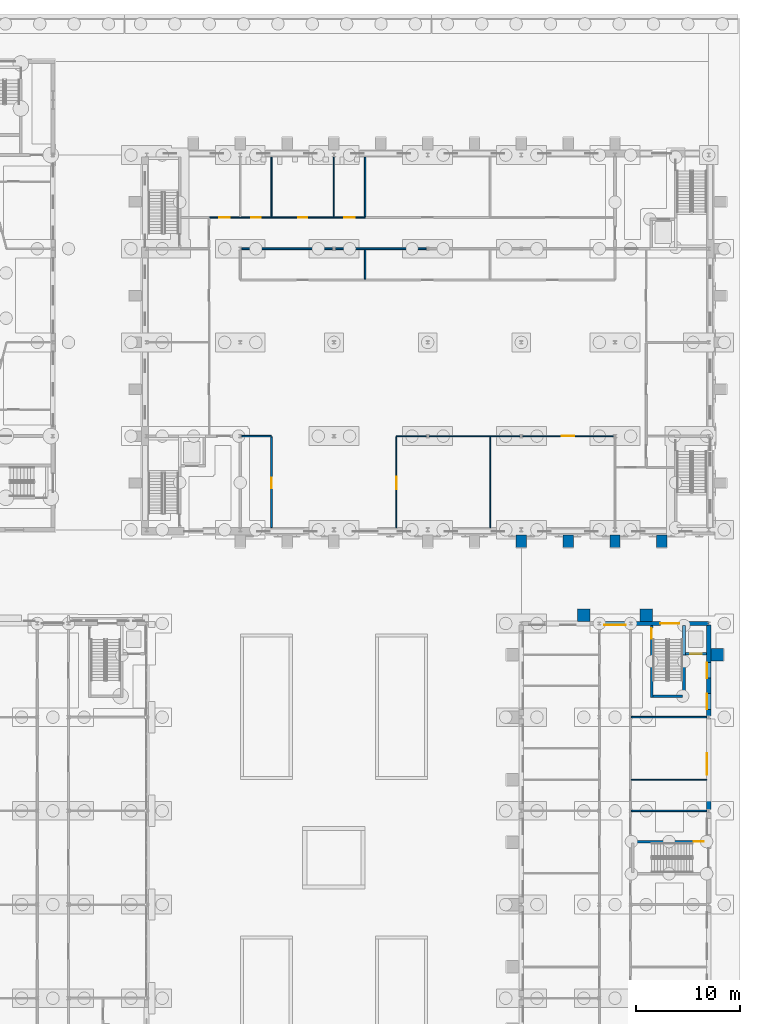
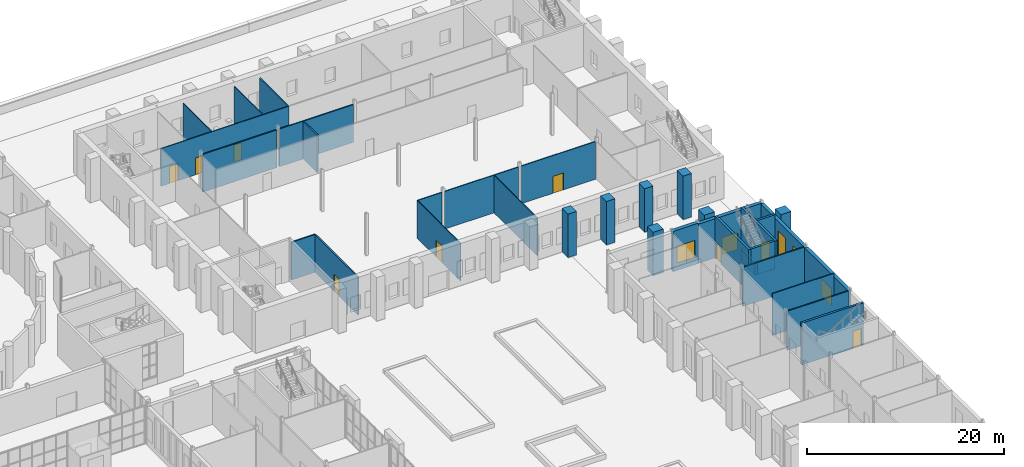
# One storey, part 105 of 168: 35 walls, 11 doors, 4 windows, 15 openings.
"""IFC4 building model written with IfcOpenShell, lengths in metres."""

import ifcopenshell
import ifcopenshell.guid

model = None  # the IFC model being written
_history = None  # IfcOwnerHistory: only IFC2X3 demands one
_inside = {}  # id of a spatial element -> (the spatial element, [elements in it])
_under = {}  # id of a project, library or spatial element -> (it, [spatial elements below it])
_declared = {}  # id of a project -> (the project, [libraries it declares])
_typed = {}  # id of a type object -> (the type object, [elements of that type])
_made_of = {}  # id of a material, layer set ... -> (it, [elements and type objects made of it])


def new_model(schema):
    """Start an empty IFC model of exactly this schema.

    Asked for "IFC4X3", IfcOpenShell would pick the latest addendum, in which some entities
    have other attributes; the version numbers below select the first issue.
    IFC2X3 requires an IfcOwnerHistory on every rooted entity: one is made here for all.
    """
    global model, _history
    if schema == "IFC4X3":
        model = ifcopenshell.file(schema_version=(4, 3, 0, 0))
    else:
        model = ifcopenshell.file(schema=schema)
    _inside.clear()
    _under.clear()
    _declared.clear()
    _typed.clear()
    _made_of.clear()
    _history = None
    if model.schema == "IFC2X3":
        org = make("IfcOrganization", Name="unknown")
        user = make(
            "IfcPersonAndOrganization",
            ThePerson=make("IfcPerson", FamilyName="unknown"),
            TheOrganization=org,
        )
        app = make(
            "IfcApplication",
            ApplicationDeveloper=org,
            Version="unknown",
            ApplicationFullName="unknown",
            ApplicationIdentifier="unknown",
        )
        _history = make(
            "IfcOwnerHistory",
            OwningUser=user,
            OwningApplication=app,
            ChangeAction="ADDED",
            CreationDate=0,
        )
    return model


def make(cls, **values):
    """One entity of the class cls with the attributes given. An attribute that is None is left unset."""
    return model.create_entity(
        cls, **{name: value for name, value in values.items() if value is not None}
    )


def rooted(cls, **values):
    """An entity with a GlobalId (a new one), such as an element, a storey or a relation."""
    return make(cls, GlobalId=ifcopenshell.guid.new(), OwnerHistory=_history, **values)


def si_unit(unit_type, name, prefix=None):
    """IfcSIUnit, for example si_unit("LENGTHUNIT", "METRE", prefix="MILLI")."""
    return make("IfcSIUnit", UnitType=unit_type, Prefix=prefix, Name=name)


def assignment(units):
    """IfcUnitAssignment: the units of a project."""
    return None if units is None else make("IfcUnitAssignment", Units=units)


def point(xyz):
    """IfcCartesianPoint."""
    return None if xyz is None else make("IfcCartesianPoint", Coordinates=xyz)


def direction(xyz):
    """IfcDirection."""
    return None if xyz is None else make("IfcDirection", DirectionRatios=xyz)


def frame(location, z_axis=None, x_axis=None):
    """IfcAxis2Placement3D, a coordinate frame: its origin and axes. An axis left out is left unset."""
    return make(
        "IfcAxis2Placement3D",
        Location=point(location),
        Axis=direction(z_axis),
        RefDirection=direction(x_axis),
    )


def frame_2d(location, x_axis=None):
    """IfcAxis2Placement2D, a coordinate frame in the plane: its origin and x axis."""
    return make(
        "IfcAxis2Placement2D", Location=point(location), RefDirection=direction(x_axis)
    )


def origin():
    """The frame at (0, 0, 0) with its axes left unset."""
    return frame((0.0, 0.0, 0.0))


def place(relative_to, where):
    """IfcLocalPlacement: puts the frame where relative to a parent placement (None: the world)."""
    return make(
        "IfcLocalPlacement", PlacementRelTo=relative_to, RelativePlacement=where
    )


def context(
    kind, dimensions, precision=None, world=None, true_north=None, identifier=None
):
    """IfcGeometricRepresentationContext, for example the 3D "Model" context."""
    return make(
        "IfcGeometricRepresentationContext",
        ContextIdentifier=identifier,
        ContextType=kind,
        CoordinateSpaceDimension=dimensions,
        Precision=precision,
        WorldCoordinateSystem=world,
        TrueNorth=true_north,
    )


def subcontext(parent, identifier, kind, view, scale=None):
    """IfcGeometricRepresentationSubContext, for example "Body" below "Model"."""
    return make(
        "IfcGeometricRepresentationSubContext",
        ContextIdentifier=identifier,
        ContextType=kind,
        ParentContext=parent,
        TargetScale=scale,
        TargetView=view,
    )


def project(units=None, contexts=None):
    """IfcProject with its units and contexts."""
    return rooted(
        "IfcProject",
        Name="project",
        RepresentationContexts=contexts,
        UnitsInContext=assignment(units),
    )


def spatial(cls, under=None, at=None, **own):
    """A site, building, storey or space (cls), placed at a placement, below another one or the project."""
    s = rooted(cls, ObjectPlacement=at, **own)
    if under is not None:
        _under.setdefault(under.id(), (under, []))[1].append(s)
    return s


def profile(cls, at=None, kind="AREA", **sizes):
    """A parametric profile (cls). Its sizes go by their IFC names, for example OverallWidth=200.0."""
    return make(cls, ProfileType=kind, Position=at, **sizes)


def rectangle(**sizes):
    """IfcRectangleProfileDef."""
    return profile("IfcRectangleProfileDef", **sizes)


def extrude(swept, where, along, depth):
    """IfcExtrudedAreaSolid: the profile swept, set in the frame where, extruded along a direction by depth."""
    return make(
        "IfcExtrudedAreaSolid",
        SweptArea=swept,
        Position=where,
        ExtrudedDirection=direction(along),
        Depth=depth,
    )


def shape(context_of_items, identifier, shape_type, items):
    """IfcShapeRepresentation: the items that make up one representation, for example the "Body"."""
    return make(
        "IfcShapeRepresentation",
        ContextOfItems=context_of_items,
        RepresentationIdentifier=identifier,
        RepresentationType=shape_type,
        Items=items,
    )


def material(Name=None, Category=None):
    """IfcMaterial."""
    return make("IfcMaterial", Name=Name, Category=Category)


def layer(
    of_material, thickness, ventilated=None, Name=None, Category=None, Priority=None
):
    """IfcMaterialLayer: one layer of a wall or slab, of a material (None: an air gap)."""
    return make(
        "IfcMaterialLayer",
        Material=of_material,
        LayerThickness=thickness,
        IsVentilated=ventilated,
        Name=Name,
        Category=Category,
        Priority=Priority,
    )


def layer_set(layers, Name=None):
    """IfcMaterialLayerSet."""
    return make("IfcMaterialLayerSet", MaterialLayers=layers, LayerSetName=Name)


def made_of(thing, what):
    """Note that an element or type object is made of a material, layer set ...; save() writes the relation."""
    if what is not None:
        _made_of.setdefault(what.id(), (what, []))[1].append(thing)
    return thing


def type_object(cls, material=None, **own):
    """A type object (cls), such as IfcWallType, which elements share."""
    return made_of(rooted(cls, **own), material)


def element(
    cls,
    number,
    at=None,
    inside=None,
    cuts=None,
    type_object=None,
    material=None,
    context=None,
    identifier="Body",
    shape_type=None,
    held_by="IfcProductDefinitionShape",
    body=None,
    shapes=None,
    **own,
):
    """One element of the class cls, such as IfcWall. Its Tag is "e" and its number.

    at: its placement. inside: the storey or other place that contains it. cuts: it is an
    opening in that element (IfcRelVoidsElement). A single representation is given by context,
    identifier, shape_type and body (its items); several are given by shapes. held_by: the class
    of the entity that holds the representations. save() writes the other relations.
    """
    e = rooted(cls, Tag="e%d" % number, ObjectPlacement=at, **own)
    if body is not None:
        shapes = [shape(context, identifier, shape_type, body)]
    if shapes is not None:
        e.Representation = make(held_by, Representations=shapes)
    if inside is not None:
        _inside.setdefault(inside.id(), (inside, []))[1].append(e)
    if cuts is not None:
        rooted(
            "IfcRelVoidsElement", RelatingBuildingElement=cuts, RelatedOpeningElement=e
        )
    if type_object is not None:
        _typed.setdefault(type_object.id(), (type_object, []))[1].append(e)
    return made_of(e, material)


def fill(opening, filler):
    """IfcRelFillsElement: the door or window that sits in an opening."""
    return rooted(
        "IfcRelFillsElement",
        RelatingOpeningElement=opening,
        RelatedBuildingElement=filler,
    )


def aggregate(whole, parts):
    """IfcRelAggregates: a whole, such as a stair, and the parts it consists of."""
    return rooted("IfcRelAggregates", RelatingObject=whole, RelatedObjects=parts)


def save(model, path):
    """Write the relations noted so far, then the file.

    IfcRelAggregates (storeys below a building ...), IfcRelContainedInSpatialStructure (elements
    in a storey), IfcRelDefinesByType, IfcRelAssociatesMaterial and IfcRelDeclares: one each for
    every whole, place, type object, material and project.
    """
    for whole, parts in _under.values():
        aggregate(whole, parts)
    for where, things in _inside.values():
        rooted(
            "IfcRelContainedInSpatialStructure",
            RelatedElements=things,
            RelatingStructure=where,
        )
    for kind, things in _typed.values():
        rooted("IfcRelDefinesByType", RelatedObjects=things, RelatingType=kind)
    for what, things in _made_of.values():
        rooted("IfcRelAssociatesMaterial", RelatedObjects=things, RelatingMaterial=what)
    for by, libraries in _declared.values():
        rooted("IfcRelDeclares", RelatingContext=by, RelatedDefinitions=libraries)
    model.write(path)


model = new_model("IFC4")

# Units and contexts
model_context = context("Model", 3, precision=1e-05, world=origin(), true_north=direction((0.0, 1.0)))
body_context = subcontext(model_context, "Body", "Model", "MODEL_VIEW")
ifc_project = project(units=[si_unit("LENGTHUNIT", "METRE"), si_unit("AREAUNIT", "SQUARE_METRE"), si_unit("VOLUMEUNIT", "CUBIC_METRE"), si_unit("PLANEANGLEUNIT", "RADIAN"), si_unit("MASSUNIT", "GRAM", prefix="KILO")], contexts=[model_context])

# Site, building, storey
site_placement = place(None, origin())
site = spatial("IfcSite", under=ifc_project, at=site_placement, CompositionType="ELEMENT")
building_placement = place(site_placement, origin())
building = spatial("IfcBuilding", under=site, at=building_placement, Name="Golden Quay Civic Hall", CompositionType="ELEMENT")
storey_placement = place(building_placement, origin())
storey = spatial("IfcBuildingStorey", under=building, at=storey_placement, Name="L00", CompositionType="ELEMENT", Elevation=0.0)

# Wall, opening, window
ifc_material_1 = material(Name="Brick, dark clay facing", Category="masonry")
ifc_layer_1 = layer(ifc_material_1, 0.39990234375)
ifc_layer_set_1 = layer_set([ifc_layer_1], Name="Brick external wall 400")
wall_type_1 = type_object("IfcWallType", Name="Brick external wall 400", PredefinedType="STANDARD", material=ifc_layer_set_1)
wall_1_placement = place(storey_placement, frame((160.509033203125, 54.0, 0.0), z_axis=(0.0, 0.0, 1.0), x_axis=(1.0, 0.0, 0.0)))
wall_1 = element("IfcWall", 1, at=wall_1_placement, inside=storey, type_object=wall_type_1, Name="Brick external wall 400 L00 19", PredefinedType="STANDARD", context=body_context, shape_type="SweptSolid", body=[
    extrude(rectangle(XDim=2.98193359375, YDim=0.39990234375, at=frame_2d((1.490966796875, 0.0))), origin(), (0.0, 0.0, 1.0), 5.0),
])
opening_1_placement = place(wall_1_placement, frame((0.44091796875, 0.0, 0.89990234375)))
opening_1 = element("IfcOpeningElement", 2, at=opening_1_placement, cuts=wall_1, Name="Opening WN2", PredefinedType="OPENING", context=body_context, shape_type="SweptSolid", body=[
    extrude(rectangle(XDim=2.10009765625, YDim=2.10009765625, at=frame_2d((1.050048828125, 1.050048828125))), frame((0.0, 0.2099609375, 0.0), z_axis=(0.0, -1.0, 0.0), x_axis=(1.0, 0.0, 0.0)), (0.0, 0.0, 1.0), 0.419921875),
])
ifc_material_2 = material(Name="Aluminium frame, double glazed", Category="aluminium")
window_type_1 = type_object("IfcWindowType", Name="Corridor end window 2100 x 2100", PartitioningType="SINGLE_PANEL", PredefinedType="WINDOW", material=ifc_material_2)
window_1_placement = place(opening_1_placement, origin())
window_1 = element("IfcWindow", 3, at=window_1_placement, inside=storey, type_object=window_type_1, Name="Corridor end window 2100 x 2100 L00 8", OverallHeight=2.10009765625, OverallWidth=2.10009765625, PartitioningType="SINGLE_PANEL", PredefinedType="WINDOW", context=body_context, shape_type="SweptSolid", body=[
    extrude(rectangle(XDim=2.10009765625, YDim=2.10009765625, at=frame_2d((1.050048828125, 1.050048828125))), frame((0.0, -0.119873046875, 0.0), z_axis=(0.0, -1.0, 0.0), x_axis=(1.0, 0.0, 0.0)), (0.0, 0.0, 1.0), 0.06005859375),
])
fill(opening_1, window_1)

wall_2_placement = place(storey_placement, frame((171.0, 44.864990234375, 0.0), z_axis=(0.0, 0.0, 1.0), x_axis=(0.0, -1.0, 0.0)))
wall_2 = element("IfcWall", 4, at=wall_2_placement, inside=storey, type_object=wall_type_1, Name="Brick external wall 400 L00 23", PredefinedType="STANDARD", context=body_context, shape_type="SweptSolid", body=[
    extrude(rectangle(XDim=8.72998046875, YDim=0.39990234375, at=frame_2d((4.364990234375, 0.0))), origin(), (0.0, 0.0, 1.0), 4.800048828125),
])
opening_2_placement = place(wall_2_placement, frame((3.31494140625, 0.0, 0.89990234375)))
opening_2 = element("IfcOpeningElement", 5, at=opening_2_placement, cuts=wall_2, Name="Opening WN2", PredefinedType="OPENING", context=body_context, shape_type="SweptSolid", body=[
    extrude(rectangle(XDim=2.10009765625, YDim=2.10009765625, at=frame_2d((1.050048828125, 1.050048828125))), frame((0.0, 0.2099609375, 0.0), z_axis=(0.0, -1.0, 0.0), x_axis=(1.0, 0.0, 0.0)), (0.0, 0.0, 1.0), 0.419921875),
])
window_2_placement = place(opening_2_placement, origin())
window_2 = element("IfcWindow", 6, at=window_2_placement, inside=storey, type_object=window_type_1, Name="Corridor end window 2100 x 2100 L00 9", OverallHeight=2.10009765625, OverallWidth=2.10009765625, PartitioningType="SINGLE_PANEL", PredefinedType="WINDOW", context=body_context, shape_type="SweptSolid", body=[
    extrude(rectangle(XDim=2.10009765625, YDim=2.10009765625, at=frame_2d((1.050048828125, 1.050048828125))), frame((0.0, -0.119873046875, 0.0), z_axis=(0.0, -1.0, 0.0), x_axis=(1.0, 0.0, 0.0)), (0.0, 0.0, 1.0), 0.06005859375),
])
fill(opening_2, window_2)

# Wall, opening, door
ifc_material_3 = material(Name="Brick, dark clay facing", Category="masonry")
ifc_layer_2 = layer(ifc_material_3, 0.39990234375)
ifc_layer_set_2 = layer_set([ifc_layer_2], Name="Brick external wall 400 fire EI 60")
wall_type_2 = type_object("IfcWallType", Name="Brick external wall 400 fire EI 60", PredefinedType="STANDARD", material=ifc_layer_set_2)
wall_3_placement = place(storey_placement, frame((163.509033203125, 54.0, 0.0), z_axis=(0.0, 0.0, 1.0), x_axis=(1.0, 0.0, 0.0)))
wall_3 = element("IfcWall", 7, at=wall_3_placement, inside=storey, type_object=wall_type_2, Name="Brick external wall 400 fire EI 60 L00 2", PredefinedType="STANDARD", context=body_context, shape_type="SweptSolid", body=[
    extrude(rectangle(XDim=7.48193359375, YDim=0.39990234375, at=frame_2d((3.740966796875, 0.0))), origin(), (0.0, 0.0, 1.0), 4.8701171875),
])
opening_3_placement = place(wall_3_placement, frame((2.841064453125, 0.0, 0.0)))
opening_3 = element("IfcOpeningElement", 8, at=opening_3_placement, cuts=wall_3, Name="Opening L00-D013", PredefinedType="OPENING", context=body_context, shape_type="SweptSolid", body=[
    extrude(rectangle(XDim=1.800048828125, YDim=2.10009765625, at=frame_2d((0.89990234375, 1.050048828125))), frame((0.0, 0.2099609375, 0.0), z_axis=(0.0, -1.0, 0.0), x_axis=(1.0, 0.0, 0.0)), (0.0, 0.0, 1.0), 0.419921875),
])
ifc_material_4 = material(Name="Steel", Category="steel")
door_type_1 = type_object("IfcDoorType", Name="Steel double exit door FD60 1800 x 2100", OperationType="DOUBLE_DOOR_SINGLE_SWING", PredefinedType="DOOR", material=ifc_material_4)
door_1_placement = place(opening_3_placement, origin())
door_1 = element("IfcDoor", 9, at=door_1_placement, inside=storey, type_object=door_type_1, Name="Door L00-D013", OperationType="DOUBLE_DOOR_SINGLE_SWING", OverallHeight=2.10009765625, OverallWidth=1.800048828125, PredefinedType="DOOR", context=body_context, shape_type="SweptSolid", body=[
    extrude(rectangle(XDim=1.800048828125, YDim=2.10009765625, at=frame_2d((0.89990234375, 1.050048828125))), frame((0.0, 0.02490234375, 0.0), z_axis=(0.0, -1.0, 0.0), x_axis=(1.0, 0.0, 0.0)), (0.0, 0.0, 1.0), 0.050048828125),
])
fill(opening_3, door_1)

# Wall, openings, windows
wall_4_placement = place(storey_placement, frame((171.0, 53.864990234375, 0.0), z_axis=(0.0, 0.0, 1.0), x_axis=(0.0, -1.0, 0.0)))
wall_4 = element("IfcWall", 10, at=wall_4_placement, inside=storey, type_object=wall_type_2, Name="Brick external wall 400 fire EI 60 L00 4", PredefinedType="STANDARD", context=body_context, shape_type="SweptSolid", body=[
    extrude(rectangle(XDim=8.72998046875, YDim=0.39990234375, at=frame_2d((4.364990234375, 0.0))), origin(), (0.0, 0.0, 1.0), 4.800048828125),
])
opening_4_placement = place(wall_4_placement, frame((6.614990234375, 0.0, 0.300048828125)))
opening_4 = element("IfcOpeningElement", 11, at=opening_4_placement, cuts=wall_4, Name="Opening WN4", PredefinedType="OPENING", context=body_context, shape_type="SweptSolid", body=[
    extrude(rectangle(XDim=1.5, YDim=3.300048828125, at=frame_2d((0.75, 1.64990234375))), frame((0.0, 0.2099609375, 0.0), z_axis=(0.0, -1.0, 0.0), x_axis=(1.0, 0.0, 0.0)), (0.0, 0.0, 1.0), 0.419921875),
])
opening_5_placement = place(wall_4_placement, frame((3.614990234375, 0.0, 0.300048828125)))
opening_5 = element("IfcOpeningElement", 12, at=opening_5_placement, cuts=wall_4, Name="Opening WN4", PredefinedType="OPENING", context=body_context, shape_type="SweptSolid", body=[
    extrude(rectangle(XDim=1.5, YDim=3.300048828125, at=frame_2d((0.75, 1.64990234375))), frame((0.0, 0.2099609375, 0.0), z_axis=(0.0, -1.0, 0.0), x_axis=(1.0, 0.0, 0.0)), (0.0, 0.0, 1.0), 0.419921875),
])
ifc_material_5 = material(Name="Aluminium frame, double glazed", Category="aluminium")
window_type_2 = type_object("IfcWindowType", Name="Tall ground-floor window 1500 x 3300", PartitioningType="SINGLE_PANEL", PredefinedType="WINDOW", material=ifc_material_5)
window_3_placement = place(opening_4_placement, origin())
window_3 = element("IfcWindow", 13, at=window_3_placement, inside=storey, type_object=window_type_2, Name="Tall ground-floor window 1500 x 3300 L00 49", OverallHeight=3.300048828125, OverallWidth=1.5, PartitioningType="SINGLE_PANEL", PredefinedType="WINDOW", context=body_context, shape_type="SweptSolid", body=[
    extrude(rectangle(XDim=1.5, YDim=3.300048828125, at=frame_2d((0.75, 1.64990234375))), frame((0.0, -0.119873046875, 0.0), z_axis=(0.0, -1.0, 0.0), x_axis=(1.0, 0.0, 0.0)), (0.0, 0.0, 1.0), 0.06005859375),
])
fill(opening_4, window_3)
window_4_placement = place(opening_5_placement, origin())
window_4 = element("IfcWindow", 14, at=window_4_placement, inside=storey, type_object=window_type_2, Name="Tall ground-floor window 1500 x 3300 L00 50", OverallHeight=3.300048828125, OverallWidth=1.5, PartitioningType="SINGLE_PANEL", PredefinedType="WINDOW", context=body_context, shape_type="SweptSolid", body=[
    extrude(rectangle(XDim=1.5, YDim=3.300048828125, at=frame_2d((0.75, 1.64990234375))), frame((0.0, -0.119873046875, 0.0), z_axis=(0.0, -1.0, 0.0), x_axis=(1.0, 0.0, 0.0)), (0.0, 0.0, 1.0), 0.06005859375),
])
fill(opening_5, window_4)

# Walls
ifc_material_6 = material(Name="Brick, dark clay facing", Category="masonry")
ifc_layer_3 = layer(ifc_material_6, 1.199951171875)
ifc_layer_set_3 = layer_set([ifc_layer_3], Name="Brick pilaster 1200 x 1200")
wall_type_3 = type_object("IfcWallType", Name="Brick pilaster 1200 x 1200", PredefinedType="STANDARD", material=ifc_layer_set_3)
for number, where, z_axis, x_axis, name in (
    (15, (158.39990234375, 54.800048828125, 0.0), (0.0, 0.0, 1.0), (1.0, 0.0, 0.0), "Brick pilaster 1200 x 1200 L00 18"),
    (16, (164.39990234375, 54.800048828125, 0.0), (0.0, 0.0, 1.0), (1.0, 0.0, 0.0), "Brick pilaster 1200 x 1200 L00 19"),
    (17, (171.800048828125, 50.39990234375, 0.0), (0.0, 0.0, 1.0), (0.0, 1.0, 0.0), "Brick pilaster 1200 x 1200 L00 21"),
):
    element("IfcWall", number, at=place(storey_placement, frame(where, z_axis=z_axis, x_axis=x_axis)), inside=storey, type_object=wall_type_3, Name=name, PredefinedType="STANDARD", context=body_context, shape_type="SweptSolid", body=[
        extrude(rectangle(XDim=1.2001953125, YDim=1.199951171875, at=frame_2d((0.60009765625, 0.0))), origin(), (0.0, 0.0, 1.0), 5.39990234375),
    ])
ifc_material_7 = material(Name="Concrete C40/50", Category="concrete")
ifc_layer_4 = layer(ifc_material_7, 0.25)
ifc_layer_set_4 = layer_set([ifc_layer_4], Name="Concrete core wall 250, Concrete C40/50")
wall_type_4 = type_object("IfcWallType", Name="Concrete core wall 250", PredefinedType="SHEAR", material=ifc_layer_set_4)
wall_5_placement = place(storey_placement, frame((168.625, 46.89990234375, 0.0), z_axis=(0.0, 0.0, 1.0), x_axis=(0.0, 1.0, 0.0)))
element("IfcWall", 18, at=wall_5_placement, inside=storey, type_object=wall_type_4, Name="Core wall EO-N-W1", PredefinedType="SHEAR", context=body_context, shape_type="SweptSolid", body=[
    extrude(rectangle(XDim=6.900146484375, YDim=0.25, at=frame_2d((3.4501953125, 0.0))), origin(), (0.0, 0.0, 1.0), 5.199951171875),
])

# Wall, opening, door
wall_6_placement = place(storey_placement, frame((165.52490234375, 46.89990234375, 0.0), z_axis=(0.0, 0.0, 1.0), x_axis=(0.0, 1.0, 0.0)))
wall_6 = element("IfcWall", 19, at=wall_6_placement, inside=storey, type_object=wall_type_4, Name="Core wall EO-N-W2", PredefinedType="SHEAR", context=body_context, shape_type="SweptSolid", body=[
    extrude(rectangle(XDim=6.900146484375, YDim=0.25, at=frame_2d((3.4501953125, 0.0))), origin(), (0.0, 0.0, 1.0), 5.199951171875),
])
opening_6_placement = place(wall_6_placement, frame((5.64990234375, 0.0, 0.0)))
opening_6 = element("IfcOpeningElement", 20, at=opening_6_placement, cuts=wall_6, Name="Opening L00-D168", PredefinedType="OPENING", context=body_context, shape_type="SweptSolid", body=[
    extrude(rectangle(XDim=1.0, YDim=2.10009765625, at=frame_2d((0.5, 1.050048828125))), frame((0.0, 0.135009765625, 0.0), z_axis=(0.0, -1.0, 0.0), x_axis=(1.0, 0.0, 0.0)), (0.0, 0.0, 1.0), 0.27001953125),
])
ifc_material_8 = material(Name="Steel", Category="steel")
door_type_2 = type_object("IfcDoorType", Name="Steel fire door FD60 1000 x 2100", OperationType="SINGLE_SWING_LEFT", PredefinedType="DOOR", material=ifc_material_8)
door_2_placement = place(opening_6_placement, frame((1.0, 0.0, 0.0), z_axis=(0.0, 0.0, 1.0), x_axis=(-1.0, 0.0, 0.0)))
door_2 = element("IfcDoor", 21, at=door_2_placement, inside=storey, type_object=door_type_2, Name="Door L00-D168", OperationType="SINGLE_SWING_RIGHT", OverallHeight=2.10009765625, OverallWidth=1.0, PredefinedType="DOOR", context=body_context, shape_type="SweptSolid", body=[
    extrude(rectangle(XDim=1.0, YDim=2.10009765625, at=frame_2d((0.5, 1.050048828125))), frame((0.0, 0.025146484375, 0.0), z_axis=(0.0, -1.0, 0.0), x_axis=(1.0, 0.0, 0.0)), (0.0, 0.0, 1.0), 0.050048828125),
])
fill(opening_6, door_2)

# Wall
wall_7_placement = place(storey_placement, frame((165.64990234375, 47.02490234375, 0.0), z_axis=(0.0, 0.0, 1.0), x_axis=(1.0, 0.0, 0.0)))
element("IfcWall", 22, at=wall_7_placement, inside=storey, type_object=wall_type_4, Name="Core wall EO-N-W3", PredefinedType="SHEAR", context=body_context, shape_type="SweptSolid", body=[
    extrude(rectangle(XDim=2.85009765625, YDim=0.25, at=frame_2d((1.425048828125, 0.0))), origin(), (0.0, 0.0, 1.0), 5.199951171875),
])

# Wall, opening, door
wall_8_placement = place(storey_placement, frame((168.75, 51.074951171875, 0.0), z_axis=(0.0, 0.0, 1.0), x_axis=(1.0, 0.0, 0.0)))
wall_8 = element("IfcWall", 23, at=wall_8_placement, inside=storey, type_object=wall_type_4, Name="Core wall EO-N-W4", PredefinedType="SHEAR", context=body_context, shape_type="SweptSolid", body=[
    extrude(rectangle(XDim=2.050048828125, YDim=0.25, at=frame_2d((1.02490234375, 0.0))), origin(), (0.0, 0.0, 1.0), 5.199951171875),
])
opening_7_placement = place(wall_8_placement, frame((0.47509765625, 0.0, 0.0)))
opening_7 = element("IfcOpeningElement", 24, at=opening_7_placement, cuts=wall_8, Name="Opening L00-D174", PredefinedType="OPENING", context=body_context, shape_type="SweptSolid", body=[
    extrude(rectangle(XDim=1.10009765625, YDim=2.10009765625, at=frame_2d((0.550048828125, 1.050048828125))), frame((0.0, 0.135009765625, 0.0), z_axis=(0.0, -1.0, 0.0), x_axis=(1.0, 0.0, 0.0)), (0.0, 0.0, 1.0), 0.27001953125),
])
ifc_material_9 = material(Name="Steel", Category="steel")
door_type_3 = type_object("IfcDoorType", Name="Lift landing door 1100 x 2100", OperationType="SLIDING_TO_LEFT", PredefinedType="DOOR", material=ifc_material_9)
door_3_placement = place(opening_7_placement, origin())
door_3 = element("IfcDoor", 25, at=door_3_placement, inside=storey, type_object=door_type_3, Name="Lift landing door L00-D174 EO-N", OperationType="SLIDING_TO_LEFT", OverallHeight=2.10009765625, OverallWidth=1.10009765625, PredefinedType="DOOR", context=body_context, shape_type="SweptSolid", body=[
    extrude(rectangle(XDim=1.10009765625, YDim=2.10009765625, at=frame_2d((0.550048828125, 1.050048828125))), frame((0.0, 0.02490234375, 0.0), z_axis=(0.0, -1.0, 0.0), x_axis=(1.0, 0.0, 0.0)), (0.0, 0.0, 1.0), 0.050048828125),
])
fill(opening_7, door_3)

# Walls
wall_9_placement = place(storey_placement, frame((168.625, 50.949951171875, -1.5), z_axis=(0.0, 0.0, 1.0), x_axis=(0.0, 1.0, 0.0)))
element("IfcWall", 26, at=wall_9_placement, inside=storey, type_object=wall_type_4, Name="Lift pit wall P1", PredefinedType="SHEAR", context=body_context, shape_type="SweptSolid", body=[
    extrude(rectangle(XDim=2.85009765625, YDim=0.25, at=frame_2d((1.425048828125, 0.0))), origin(), (0.0, 0.0, 1.0), 1.5),
])
wall_10_placement = place(storey_placement, frame((168.75, 51.074951171875, -1.5), z_axis=(0.0, 0.0, 1.0), x_axis=(1.0, 0.0, 0.0)))
element("IfcWall", 27, at=wall_10_placement, inside=storey, type_object=wall_type_4, Name="Lift pit wall P2", PredefinedType="SHEAR", context=body_context, shape_type="SweptSolid", body=[
    extrude(rectangle(XDim=2.050048828125, YDim=0.25, at=frame_2d((1.02490234375, 0.0))), origin(), (0.0, 0.0, 1.0), 1.5),
])

# Wall, opening, door
wall_11_placement = place(storey_placement, frame((163.574951171875, 33.050048828125, 0.0), z_axis=(0.0, 0.0, 1.0), x_axis=(1.0, 0.0, 0.0)))
wall_11 = element("IfcWall", 28, at=wall_11_placement, inside=storey, type_object=wall_type_4, Name="Core wall EO-M-W1", PredefinedType="SHEAR", context=body_context, shape_type="SweptSolid", body=[
    extrude(rectangle(XDim=7.22509765625, YDim=0.25, at=frame_2d((3.612548828125, 0.0))), origin(), (0.0, 0.0, 1.0), 5.199951171875),
])
opening_8_placement = place(wall_11_placement, frame((5.97509765625, 0.0, 0.0)))
opening_8 = element("IfcOpeningElement", 29, at=opening_8_placement, cuts=wall_11, Name="Opening L00-D171", PredefinedType="OPENING", context=body_context, shape_type="SweptSolid", body=[
    extrude(rectangle(XDim=1.0, YDim=2.10009765625, at=frame_2d((0.5, 1.050048828125))), frame((0.0, 0.135009765625, 0.0), z_axis=(0.0, -1.0, 0.0), x_axis=(1.0, 0.0, 0.0)), (0.0, 0.0, 1.0), 0.27001953125),
])
door_4_placement = place(opening_8_placement, frame((1.0, 0.0, 0.0), z_axis=(0.0, 0.0, 1.0), x_axis=(-1.0, 0.0, 0.0)))
door_4 = element("IfcDoor", 30, at=door_4_placement, inside=storey, type_object=door_type_2, Name="Door L00-D171", OperationType="SINGLE_SWING_RIGHT", OverallHeight=2.10009765625, OverallWidth=1.0, PredefinedType="DOOR", context=body_context, shape_type="SweptSolid", body=[
    extrude(rectangle(XDim=1.0, YDim=2.10009765625, at=frame_2d((0.5, 1.050048828125))), frame((0.0, 0.025146484375, 0.0), z_axis=(0.0, -1.0, 0.0), x_axis=(1.0, 0.0, 0.0)), (0.0, 0.0, 1.0), 0.050048828125),
])
fill(opening_8, door_4)

# Walls
ifc_material_10 = material(Name="Plasterboard on steel studs", Category="steel")
ifc_layer_5 = layer(ifc_material_10, 0.10009765625)
ifc_layer_set_5 = layer_set([ifc_layer_5], Name="Partition 100 stud")
wall_type_5 = type_object("IfcWallType", Name="Partition 100 stud", PredefinedType="PARTITIONING", material=ifc_layer_set_5)
wall_12_placement = place(storey_placement, frame((163.574951171875, 39.0, 0.0), z_axis=(0.0, 0.0, 1.0), x_axis=(1.0, 0.0, 0.0)))
element("IfcWall", 31, at=wall_12_placement, inside=storey, type_object=wall_type_5, Name="Partition L00-006", PredefinedType="PARTITIONING", context=body_context, shape_type="SweptSolid", body=[
    extrude(rectangle(XDim=7.22509765625, YDim=0.10009765625, at=frame_2d((3.612548828125, 0.0))), origin(), (0.0, 0.0, 1.0), 5.199951171875),
])
wall_13_placement = place(storey_placement, frame((141.0, 72.0, 0.0), z_axis=(0.0, 0.0, 1.0), x_axis=(1.0, 0.0, 0.0)))
element("IfcWall", 32, at=wall_13_placement, inside=storey, type_object=wall_type_5, Name="L00 partition H9-24.00", PredefinedType="PARTITIONING", context=body_context, shape_type="SweptSolid", body=[
    extrude(rectangle(XDim=2.85009765625, YDim=0.10009765625, at=frame_2d((1.425048828125, 0.0))), origin(), (0.0, 0.0, 1.0), 4.679931640625),
])
wall_14_placement = place(storey_placement, frame((144.14990234375, 72.0, 0.0), z_axis=(0.0, 0.0, 1.0), x_axis=(1.0, 0.0, 0.0)))
element("IfcWall", 33, at=wall_14_placement, inside=storey, type_object=wall_type_5, Name="L00 partition H9-27.15", PredefinedType="PARTITIONING", context=body_context, shape_type="SweptSolid", body=[
    extrude(rectangle(XDim=8.7001953125, YDim=0.10009765625, at=frame_2d((4.35009765625, 0.0))), origin(), (0.0, 0.0, 1.0), 4.679931640625),
])

# Wall, opening, door
wall_15_placement = place(storey_placement, frame((153.14990234375, 72.0, 0.0), z_axis=(0.0, 0.0, 1.0), x_axis=(1.0, 0.0, 0.0)))
wall_15 = element("IfcWall", 34, at=wall_15_placement, inside=storey, type_object=wall_type_5, Name="L00 partition H9-36.15", PredefinedType="PARTITIONING", context=body_context, shape_type="SweptSolid", body=[
    extrude(rectangle(XDim=8.7001953125, YDim=0.10009765625, at=frame_2d((4.35009765625, 0.0))), origin(), (0.0, 0.0, 1.0), 4.679931640625),
])
opening_9_placement = place(wall_15_placement, frame((3.75, 0.0, 0.0)))
opening_9 = element("IfcOpeningElement", 35, at=opening_9_placement, cuts=wall_15, Name="Opening L00-D203", PredefinedType="OPENING", context=body_context, shape_type="SweptSolid", body=[
    extrude(rectangle(XDim=1.199951171875, YDim=2.10009765625, at=frame_2d((0.60009765625, 1.050048828125))), frame((0.0, 0.06005859375, 0.0), z_axis=(0.0, -1.0, 0.0), x_axis=(1.0, 0.0, 0.0)), (0.0, 0.0, 1.0), 0.1201171875),
])
ifc_material_11 = material(Name="Timber", Category="wood")
door_type_4 = type_object("IfcDoorType", Name="Timber door 1200 x 2100", OperationType="SINGLE_SWING_LEFT", PredefinedType="DOOR", material=ifc_material_11)
door_5_placement = place(opening_9_placement, frame((1.199951171875, 0.0, 0.0), z_axis=(0.0, 0.0, 1.0), x_axis=(-1.0, 0.0, 0.0)))
door_5 = element("IfcDoor", 36, at=door_5_placement, inside=storey, type_object=door_type_4, Name="Exhibition Display door", OperationType="SINGLE_SWING_RIGHT", OverallHeight=2.10009765625, OverallWidth=1.199951171875, PredefinedType="DOOR", context=body_context, shape_type="SweptSolid", body=[
    extrude(rectangle(XDim=1.199951171875, YDim=2.10009765625, at=frame_2d((0.599853515625, 1.050048828125))), frame((0.0, 0.025146484375, 0.0), z_axis=(0.0, -1.0, 0.0), x_axis=(1.0, 0.0, 0.0)), (0.0, 0.0, 1.0), 0.050048828125),
])
fill(opening_9, door_5)

# Wall, openings, doors
wall_16_placement = place(storey_placement, frame((123.0, 93.0, 0.0), z_axis=(0.0, 0.0, 1.0), x_axis=(1.0, 0.0, 0.0)))
wall_16 = element("IfcWall", 37, at=wall_16_placement, inside=storey, type_object=wall_type_5, Name="L00 partition H30-6.00", PredefinedType="PARTITIONING", context=body_context, shape_type="SweptSolid", body=[
    extrude(rectangle(XDim=15.0, YDim=0.10009765625, at=frame_2d((7.5, 0.0))), origin(), (0.0, 0.0, 1.0), 4.679931640625),
])
opening_10_placement = place(wall_16_placement, frame((1.0, 0.0, 0.0)))
opening_10 = element("IfcOpeningElement", 38, at=opening_10_placement, cuts=wall_16, Name="Opening L00-D214", PredefinedType="OPENING", context=body_context, shape_type="SweptSolid", body=[
    extrude(rectangle(XDim=1.0, YDim=2.10009765625, at=frame_2d((0.5, 1.050048828125))), frame((0.0, 0.06005859375, 0.0), z_axis=(0.0, -1.0, 0.0), x_axis=(1.0, 0.0, 0.0)), (0.0, 0.0, 1.0), 0.1201171875),
])
opening_11_placement = place(wall_16_placement, frame((4.050048828125, 0.0, 0.0)))
opening_11 = element("IfcOpeningElement", 39, at=opening_11_placement, cuts=wall_16, Name="Opening L00-D215", PredefinedType="OPENING", context=body_context, shape_type="SweptSolid", body=[
    extrude(rectangle(XDim=0.89990234375, YDim=2.10009765625, at=frame_2d((0.449951171875, 1.050048828125))), frame((0.0, 0.06005859375, 0.0), z_axis=(0.0, -1.0, 0.0), x_axis=(1.0, 0.0, 0.0)), (0.0, 0.0, 1.0), 0.1201171875),
])
opening_12_placement = place(wall_16_placement, frame((8.550048828125, 0.0, 0.0)))
opening_12 = element("IfcOpeningElement", 40, at=opening_12_placement, cuts=wall_16, Name="Opening L00-D216", PredefinedType="OPENING", context=body_context, shape_type="SweptSolid", body=[
    extrude(rectangle(XDim=0.89990234375, YDim=2.10009765625, at=frame_2d((0.449951171875, 1.050048828125))), frame((0.0, 0.06005859375, 0.0), z_axis=(0.0, -1.0, 0.0), x_axis=(1.0, 0.0, 0.0)), (0.0, 0.0, 1.0), 0.1201171875),
])
opening_13_placement = place(wall_16_placement, frame((13.0, 0.0, 0.0)))
opening_13 = element("IfcOpeningElement", 41, at=opening_13_placement, cuts=wall_16, Name="Opening L00-D217", PredefinedType="OPENING", context=body_context, shape_type="SweptSolid", body=[
    extrude(rectangle(XDim=1.0, YDim=2.10009765625, at=frame_2d((0.5, 1.050048828125))), frame((0.0, 0.06005859375, 0.0), z_axis=(0.0, -1.0, 0.0), x_axis=(1.0, 0.0, 0.0)), (0.0, 0.0, 1.0), 0.1201171875),
])
ifc_material_12 = material(Name="Timber", Category="wood")
door_type_5 = type_object("IfcDoorType", Name="Timber door 1000 x 2100", OperationType="SINGLE_SWING_LEFT", PredefinedType="DOOR", material=ifc_material_12)
door_6_placement = place(opening_10_placement, origin())
door_6 = element("IfcDoor", 42, at=door_6_placement, inside=storey, type_object=door_type_5, Name="Conservation Workshop door", OperationType="SINGLE_SWING_LEFT", OverallHeight=2.10009765625, OverallWidth=1.0, PredefinedType="DOOR", context=body_context, shape_type="SweptSolid", body=[
    extrude(rectangle(XDim=1.0, YDim=2.10009765625, at=frame_2d((0.5, 1.050048828125))), frame((0.0, 0.02490234375, 0.0), z_axis=(0.0, -1.0, 0.0), x_axis=(1.0, 0.0, 0.0)), (0.0, 0.0, 1.0), 0.050048828125),
])
fill(opening_10, door_6)
door_7_placement = place(opening_13_placement, origin())
door_7 = element("IfcDoor", 43, at=door_7_placement, inside=storey, type_object=door_type_5, Name="Accessible WC door", OperationType="SINGLE_SWING_LEFT", OverallHeight=2.10009765625, OverallWidth=1.0, PredefinedType="DOOR", context=body_context, shape_type="SweptSolid", body=[
    extrude(rectangle(XDim=1.0, YDim=2.10009765625, at=frame_2d((0.5, 1.050048828125))), frame((0.0, 0.02490234375, 0.0), z_axis=(0.0, -1.0, 0.0), x_axis=(1.0, 0.0, 0.0)), (0.0, 0.0, 1.0), 0.050048828125),
])
fill(opening_13, door_7)
ifc_material_13 = material(Name="Timber", Category="wood")
door_type_6 = type_object("IfcDoorType", Name="Timber door 900 x 2100", OperationType="SINGLE_SWING_LEFT", PredefinedType="DOOR", material=ifc_material_13)
door_8_placement = place(opening_11_placement, origin())
door_8 = element("IfcDoor", 44, at=door_8_placement, inside=storey, type_object=door_type_6, Name="Men's WC door", OperationType="SINGLE_SWING_LEFT", OverallHeight=2.10009765625, OverallWidth=0.89990234375, PredefinedType="DOOR", context=body_context, shape_type="SweptSolid", body=[
    extrude(rectangle(XDim=0.89990234375, YDim=2.10009765625, at=frame_2d((0.449951171875, 1.050048828125))), frame((0.0, 0.02490234375, 0.0), z_axis=(0.0, -1.0, 0.0), x_axis=(1.0, 0.0, 0.0)), (0.0, 0.0, 1.0), 0.050048828125),
])
fill(opening_11, door_8)
door_9_placement = place(opening_12_placement, origin())
door_9 = element("IfcDoor", 45, at=door_9_placement, inside=storey, type_object=door_type_6, Name="Women's WC door", OperationType="SINGLE_SWING_LEFT", OverallHeight=2.10009765625, OverallWidth=0.89990234375, PredefinedType="DOOR", context=body_context, shape_type="SweptSolid", body=[
    extrude(rectangle(XDim=0.89990234375, YDim=2.10009765625, at=frame_2d((0.449951171875, 1.050048828125))), frame((0.0, 0.02490234375, 0.0), z_axis=(0.0, -1.0, 0.0), x_axis=(1.0, 0.0, 0.0)), (0.0, 0.0, 1.0), 0.050048828125),
])
fill(opening_12, door_9)

# Walls
for number, where, z_axis, x_axis, name in (
    (46, (129.0, 93.050048828125, 0.0), (0.0, 0.0, 1.0), (0.0, 1.0, 0.0), "L00 partition V12-30.05"),
    (47, (135.0, 93.050048828125, 0.0), (0.0, 0.0, 1.0), (0.0, 1.0, 0.0), "L00 partition V18-30.05"),
):
    element("IfcWall", number, at=place(storey_placement, frame(where, z_axis=z_axis, x_axis=x_axis)), inside=storey, type_object=wall_type_5, Name=name, PredefinedType="PARTITIONING", context=body_context, shape_type="SweptSolid", body=[
        extrude(rectangle(XDim=5.75, YDim=0.10009765625, at=frame_2d((2.875, 0.0))), origin(), (0.0, 0.0, 1.0), 4.679931640625),
    ])

# Wall, opening, door
wall_17_placement = place(storey_placement, frame((141.0, 63.199951171875, 0.0), z_axis=(0.0, 0.0, 1.0), x_axis=(0.0, 1.0, 0.0)))
wall_17 = element("IfcWall", 48, at=wall_17_placement, inside=storey, type_object=wall_type_5, Name="L00 partition V24-0.20", PredefinedType="PARTITIONING", context=body_context, shape_type="SweptSolid", body=[
    extrude(rectangle(XDim=8.75, YDim=0.10009765625, at=frame_2d((4.375, 0.0))), origin(), (0.0, 0.0, 1.0), 4.679931640625),
])
opening_14_placement = place(wall_17_placement, frame((3.699951171875, 0.0, 0.0)))
opening_14 = element("IfcOpeningElement", 49, at=opening_14_placement, cuts=wall_17, Name="Opening L00-D202", PredefinedType="OPENING", context=body_context, shape_type="SweptSolid", body=[
    extrude(rectangle(XDim=1.199951171875, YDim=2.10009765625, at=frame_2d((0.60009765625, 1.050048828125))), frame((0.0, 0.06005859375, 0.0), z_axis=(0.0, -1.0, 0.0), x_axis=(1.0, 0.0, 0.0)), (0.0, 0.0, 1.0), 0.1201171875),
])
door_10_placement = place(opening_14_placement, frame((1.199951171875, 0.0, 0.0), z_axis=(0.0, 0.0, 1.0), x_axis=(-1.0, 0.0, 0.0)))
door_10 = element("IfcDoor", 50, at=door_10_placement, inside=storey, type_object=door_type_4, Name="Reference Desk door", OperationType="SINGLE_SWING_RIGHT", OverallHeight=2.10009765625, OverallWidth=1.199951171875, PredefinedType="DOOR", context=body_context, shape_type="SweptSolid", body=[
    extrude(rectangle(XDim=1.199951171875, YDim=2.10009765625, at=frame_2d((0.599853515625, 1.050048828125))), frame((0.0, 0.025146484375, 0.0), z_axis=(0.0, -1.0, 0.0), x_axis=(1.0, 0.0, 0.0)), (0.0, 0.0, 1.0), 0.050048828125),
])
fill(opening_14, door_10)

# Walls
wall_18_placement = place(storey_placement, frame((150.0, 63.199951171875, 0.0), z_axis=(0.0, 0.0, 1.0), x_axis=(0.0, 1.0, 0.0)))
element("IfcWall", 51, at=wall_18_placement, inside=storey, type_object=wall_type_5, Name="L00 partition V33-0.20", PredefinedType="PARTITIONING", context=body_context, shape_type="SweptSolid", body=[
    extrude(rectangle(XDim=8.75, YDim=0.10009765625, at=frame_2d((4.375, 0.0))), origin(), (0.0, 0.0, 1.0), 4.679931640625),
])
ifc_material_14 = material(Name="Plasterboard on steel studs", Category="steel")
ifc_layer_6 = layer(ifc_material_14, 0.14990234375)
ifc_layer_set_6 = layer_set([ifc_layer_6], Name="Partition 150 stud fire EI 60")
wall_type_6 = type_object("IfcWallType", Name="Partition 150 stud fire EI 60", PredefinedType="PARTITIONING", material=ifc_layer_set_6)
for number, where, z_axis, x_axis, name in (
    (52, (163.574951171875, 36.0, 0.0), (0.0, 0.0, 1.0), (1.0, 0.0, 0.0), "Partition L00-005"),
    (53, (163.574951171875, 45.0, 0.0), (0.0, 0.0, 1.0), (1.0, 0.0, 0.0), "Partition L00-007"),
):
    element("IfcWall", number, at=place(storey_placement, frame(where, z_axis=z_axis, x_axis=x_axis)), inside=storey, type_object=wall_type_6, Name=name, PredefinedType="PARTITIONING", context=body_context, shape_type="SweptSolid", body=[
        extrude(rectangle(XDim=7.22509765625, YDim=0.14990234375, at=frame_2d((3.612548828125, 0.0))), origin(), (0.0, 0.0, 1.0), 4.85009765625),
    ])
wall_19_placement = place(storey_placement, frame((126.14990234375, 72.0, 0.0), z_axis=(0.0, 0.0, 1.0), x_axis=(1.0, 0.0, 0.0)))
element("IfcWall", 54, at=wall_19_placement, inside=storey, type_object=wall_type_6, Name="L00 partition H9-9.15", PredefinedType="PARTITIONING", context=body_context, shape_type="SweptSolid", body=[
    extrude(rectangle(XDim=2.85009765625, YDim=0.14990234375, at=frame_2d((1.425048828125, 0.0))), origin(), (0.0, 0.0, 1.0), 4.679931640625),
])
for number, where, z_axis, x_axis, name in (
    (55, (126.14990234375, 90.0, 0.0), (0.0, 0.0, 1.0), (1.0, 0.0, 0.0), "L00 partition H27-9.15"),
    (56, (135.14990234375, 90.0, 0.0), (0.0, 0.0, 1.0), (1.0, 0.0, 0.0), "L00 partition H27-18.15"),
):
    element("IfcWall", number, at=place(storey_placement, frame(where, z_axis=z_axis, x_axis=x_axis)), inside=storey, type_object=wall_type_6, Name=name, PredefinedType="PARTITIONING", context=body_context, shape_type="SweptSolid", body=[
        extrude(rectangle(XDim=8.7001953125, YDim=0.14990234375, at=frame_2d((4.35009765625, 0.0))), origin(), (0.0, 0.0, 1.0), 4.679931640625),
    ])

# Wall, opening, door
wall_20_placement = place(storey_placement, frame((129.0, 63.199951171875, 0.0), z_axis=(0.0, 0.0, 1.0), x_axis=(0.0, 1.0, 0.0)))
wall_20 = element("IfcWall", 57, at=wall_20_placement, inside=storey, type_object=wall_type_6, Name="L00 partition V12-0.20", PredefinedType="PARTITIONING", context=body_context, shape_type="SweptSolid", body=[
    extrude(rectangle(XDim=8.72509765625, YDim=0.14990234375, at=frame_2d((4.362548828125, 0.0))), origin(), (0.0, 0.0, 1.0), 4.679931640625),
])
opening_15_placement = place(wall_20_placement, frame((3.800048828125, 0.0, 0.0)))
opening_15 = element("IfcOpeningElement", 58, at=opening_15_placement, cuts=wall_20, Name="Opening L00-D201", PredefinedType="OPENING", context=body_context, shape_type="SweptSolid", body=[
    extrude(rectangle(XDim=1.0, YDim=2.10009765625, at=frame_2d((0.5, 1.050048828125))), frame((0.0, 0.0849609375, 0.0), z_axis=(0.0, -1.0, 0.0), x_axis=(1.0, 0.0, 0.0)), (0.0, 0.0, 1.0), 0.169921875),
])
ifc_material_15 = material(Name="Timber", Category="wood")
door_type_7 = type_object("IfcDoorType", Name="Timber fire door FD60 1000 x 2100", OperationType="SINGLE_SWING_LEFT", PredefinedType="DOOR", material=ifc_material_15)
door_11_placement = place(opening_15_placement, origin())
door_11 = element("IfcDoor", 59, at=door_11_placement, inside=storey, type_object=door_type_7, Name="Cloakroom door", OperationType="SINGLE_SWING_LEFT", OverallHeight=2.10009765625, OverallWidth=1.0, PredefinedType="DOOR", context=body_context, shape_type="SweptSolid", body=[
    extrude(rectangle(XDim=1.0, YDim=2.10009765625, at=frame_2d((0.5, 1.050048828125))), frame((0.0, 0.02490234375, 0.0), z_axis=(0.0, -1.0, 0.0), x_axis=(1.0, 0.0, 0.0)), (0.0, 0.0, 1.0), 0.050048828125),
])
fill(opening_15, door_11)

# Walls
wall_21_placement = place(storey_placement, frame((138.0, 87.074951171875, 0.0), z_axis=(0.0, 0.0, 1.0), x_axis=(0.0, 1.0, 0.0)))
element("IfcWall", 60, at=wall_21_placement, inside=storey, type_object=wall_type_6, Name="L00 partition V21-24.07", PredefinedType="PARTITIONING", context=body_context, shape_type="SweptSolid", body=[
    extrude(rectangle(XDim=2.85009765625, YDim=0.14990234375, at=frame_2d((1.425048828125, 0.0))), origin(), (0.0, 0.0, 1.0), 4.679931640625),
])
wall_22_placement = place(storey_placement, frame((138.0, 93.074951171875, 0.0), z_axis=(0.0, 0.0, 1.0), x_axis=(0.0, 1.0, 0.0)))
element("IfcWall", 61, at=wall_22_placement, inside=storey, type_object=wall_type_6, Name="L00 partition V21-30.07", PredefinedType="PARTITIONING", context=body_context, shape_type="SweptSolid", body=[
    extrude(rectangle(XDim=5.72509765625, YDim=0.14990234375, at=frame_2d((2.862548828125, 0.0))), origin(), (0.0, 0.0, 1.0), 4.679931640625),
])
ifc_material_16 = material(Name="Limestone, rusticated facing", Category="masonry")
ifc_layer_7 = layer(ifc_material_16, 1.199951171875)
ifc_layer_set_7 = layer_set([ifc_layer_7], Name="Stone base pier 1000 x 1200")
wall_type_7 = type_object("IfcWallType", Name="Stone base pier 1000 x 1200", PredefinedType="STANDARD", material=ifc_layer_set_7)
for number, where, z_axis, x_axis, name in (
    (62, (152.5, 61.89990234375, 0.0), (0.0, 0.0, 1.0), (1.0, 0.0, 0.0), "Stone base pier 1000 x 1200 L00 6"),
    (63, (157.0, 61.89990234375, 0.0), (0.0, 0.0, 1.0), (1.0, 0.0, 0.0), "Stone base pier 1000 x 1200 L00 7"),
    (64, (161.5, 61.89990234375, 0.0), (0.0, 0.0, 1.0), (1.0, 0.0, 0.0), "Stone base pier 1000 x 1200 L00 8"),
    (65, (166.0, 61.89990234375, 0.0), (0.0, 0.0, 1.0), (1.0, 0.0, 0.0), "Stone base pier 1000 x 1200 L00 9"),
):
    element("IfcWall", number, at=place(storey_placement, frame(where, z_axis=z_axis, x_axis=x_axis)), inside=storey, type_object=wall_type_7, Name=name, PredefinedType="STANDARD", context=body_context, shape_type="SweptSolid", body=[
        extrude(rectangle(XDim=1.0, YDim=1.199951171875, at=frame_2d((0.5, 0.0))), origin(), (0.0, 0.0, 1.0), 5.39990234375),
    ])

save(model, "model.ifc")
